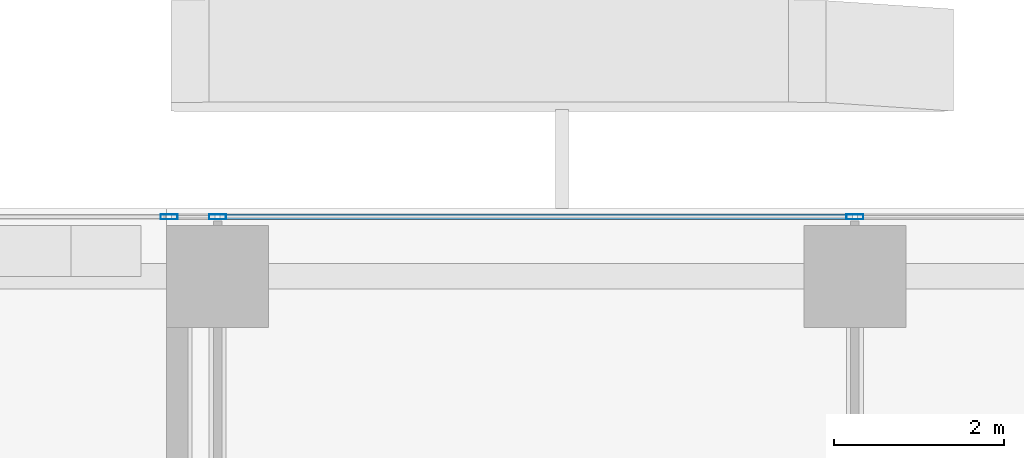
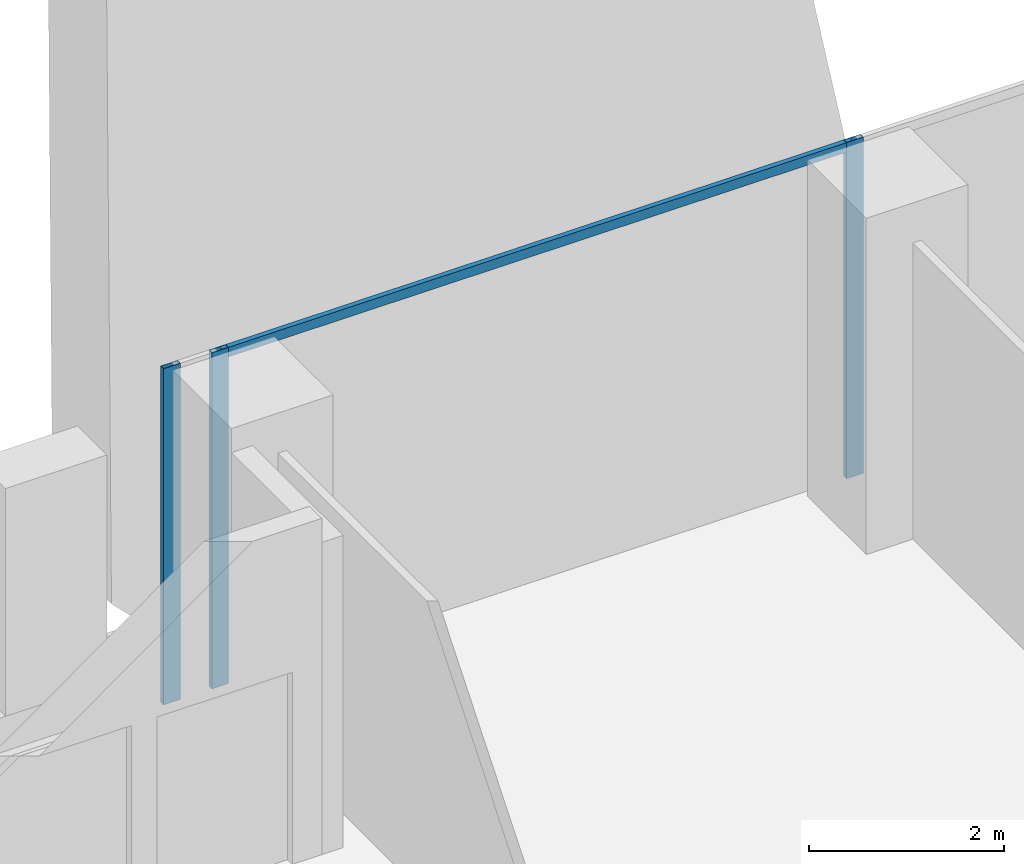
# One storey, part 19 of 34: 4 members, 1 element without a shape of its own.
"""IFC4 building model written with IfcOpenShell, lengths in metres."""

from ifc_helpers import new_model, si_unit, direction, frame, origin, origin_2d, place, context, subcontext, project, spatial, hollow_rectangle, extrude, source, transform, mapped, material, material_profile, profile_set, type_object, element, aggregate, save


model = new_model("IFC4")

# Units and contexts
model_context = context("Model", 3, precision=1e-05, world=origin(), true_north=direction((0.0, 1.0)))
body_context = subcontext(model_context, "Body", "Model", "MODEL_VIEW")
ifc_project = project(units=[si_unit("LENGTHUNIT", "METRE"), si_unit("AREAUNIT", "SQUARE_METRE"), si_unit("VOLUMEUNIT", "CUBIC_METRE"), si_unit("PLANEANGLEUNIT", "RADIAN"), si_unit("MASSUNIT", "GRAM", prefix="KILO")], contexts=[model_context])

# Site, building, storey
site_placement = place(None, origin())
site = spatial("IfcSite", under=ifc_project, at=site_placement, CompositionType="ELEMENT")
building_placement = place(site_placement, origin())
building = spatial("IfcBuilding", under=site, at=building_placement, Name="Khomas Fold Tower", CompositionType="ELEMENT")
storey_placement = place(building_placement, frame((0.0, 0.0, 51.0)))
storey = spatial("IfcBuildingStorey", under=building, at=storey_placement, Name="L10", CompositionType="ELEMENT", Elevation=51.0)

# Curtain wall, members
ifc_material_1 = material(Name="Aluminium framed double glazing", Category="aluminium")
curtain_wall_type = type_object("IfcCurtainWallType", Name="SK-Unitised clear-glass wall, growing floors CW1", PredefinedType="NOTDEFINED", material=ifc_material_1)
curtain_wall_placement = place(storey_placement, origin())
curtain_wall = element("IfcCurtainWall", 1, at=curtain_wall_placement, inside=storey, type_object=curtain_wall_type, Name="CW1 run L10 06-0", PredefinedType="NOTDEFINED")
ifc_material_2 = material(Name="Aluminium", Category="aluminium")
ifc_material_profile_1 = material_profile(ifc_material_2, hollow_rectangle(XDim=0.06005859375, YDim=0.1201171875, WallThickness=0.00390625, at=origin_2d()), Name="SK-Unitised clear-glass wall, growing floors transom CW1-T")
ifc_profile_set_1 = profile_set([ifc_material_profile_1], Name="Aluminium")
member_type_1 = type_object("IfcMemberType", Name="SK-Unitised clear-glass wall, growing floors transom CW1-T", PredefinedType="USERDEFINED", material=ifc_profile_set_1)
shared_shape_1 = source(origin(), body_context, "Body", "SweptSolid", [
    extrude(hollow_rectangle(XDim=0.06005859375, YDim=0.1201171875, WallThickness=0.00390625, at=origin_2d()), origin(), (0.0, 0.0, 1.0), 7.43994140625),
])
member_1_placement = place(storey_placement, frame((41.969970703125, 53.89990234375, 4.139892578125), z_axis=(-1.0, 0.0, 0.0), x_axis=(0.0, -1.0, 0.0)))
member_1 = element("IfcMember", 2, at=member_1_placement, type_object=member_type_1, Name="CW1 transom 3", ObjectType="TRANSOM", PredefinedType="USERDEFINED", context=body_context, shape_type="MappedRepresentation", body=[
    mapped(shared_shape_1, transform((0.0, 0.0, 0.0))),
])
ifc_material_3 = material(Name="Aluminium", Category="aluminium")
ifc_material_profile_2 = material_profile(ifc_material_3, hollow_rectangle(XDim=0.06005859375, YDim=0.199951171875, WallThickness=0.00390625, at=origin_2d()), Name="SK-Unitised clear-glass wall, growing floors mullion CW1-M")
ifc_profile_set_2 = profile_set([ifc_material_profile_2], Name="Aluminium")
member_type_2 = type_object("IfcMemberType", Name="SK-Unitised clear-glass wall, growing floors mullion CW1-M", PredefinedType="MULLION", material=ifc_profile_set_2)
shared_shape_2 = source(origin(), body_context, "Body", "SweptSolid", [
    extrude(hollow_rectangle(XDim=0.06005859375, YDim=0.199951171875, WallThickness=0.00390625, at=origin_2d()), origin(), (0.0, 0.0, 1.0), 4.199951171875),
])
member_2_placement = place(storey_placement, frame((42.0, 53.89990234375, 0.0), z_axis=(0.0, 0.0, 1.0), x_axis=(0.0, -1.0, 0.0)))
member_2 = element("IfcMember", 3, at=member_2_placement, type_object=member_type_2, Name="CW1 mullion 3", PredefinedType="MULLION", context=body_context, shape_type="MappedRepresentation", body=[
    mapped(shared_shape_2, transform((0.0, 0.0, 0.0))),
])
member_3_placement = place(storey_placement, frame((34.5, 53.89990234375, 0.0), z_axis=(0.0, 0.0, 1.0), x_axis=(0.0, -1.0, 0.0)))
member_3 = element("IfcMember", 4, at=member_3_placement, type_object=member_type_2, Name="CW1 mullion 4", PredefinedType="MULLION", context=body_context, shape_type="MappedRepresentation", body=[
    mapped(shared_shape_2, transform((0.0, 0.0, 0.0))),
])
member_4_placement = place(storey_placement, frame((33.929931640625, 53.89990234375, 0.0), z_axis=(0.0, 0.0, 1.0), x_axis=(0.0, -1.0, 0.0)))
member_4 = element("IfcMember", 5, at=member_4_placement, type_object=member_type_2, Name="CW1 mullion 5", PredefinedType="MULLION", context=body_context, shape_type="MappedRepresentation", body=[
    mapped(shared_shape_2, transform((0.0, 0.0, 0.0))),
])
aggregate(curtain_wall, [member_2, member_3, member_4, member_1])

save(model, "model.ifc")
